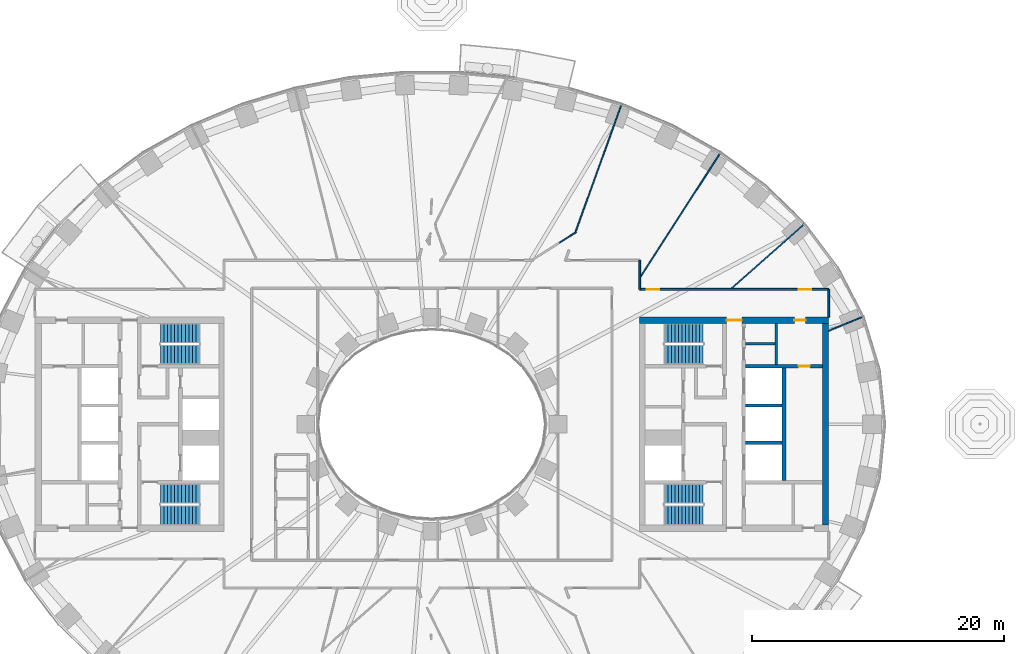
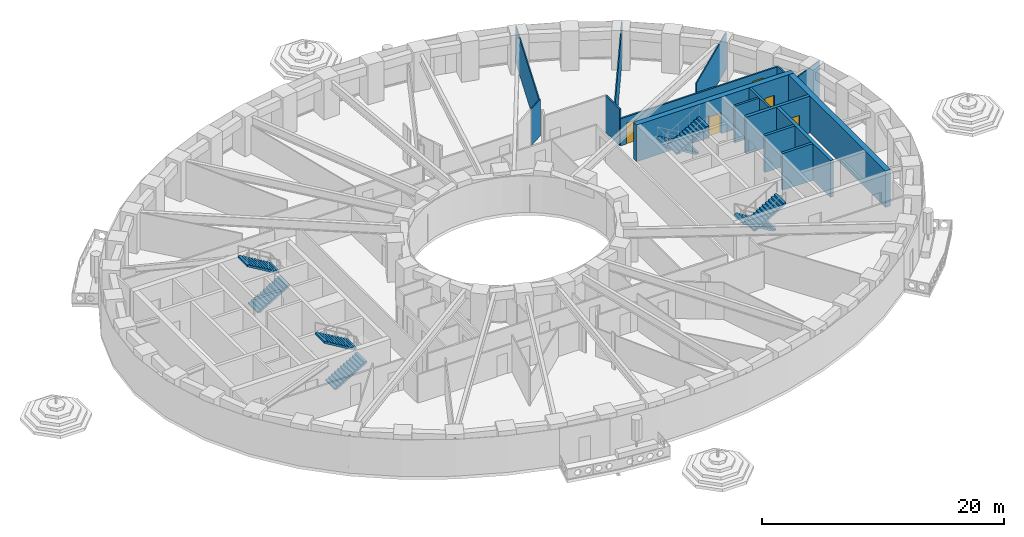
# One storey, part 7 of 20: 16 walls, 8 stair flights, 5 doors, 5 openings, 4 elements without a shape of their own.
"""IFC4 building model written with IfcOpenShell, lengths in metres."""

from ifc_helpers import new_model, si_unit, direction, frame, frame_2d, origin, place, context, subcontext, project, spatial, polyline, rectangle, outline, extrude, material, layer, layer_set, type_object, element, fill, aggregate, save


model = new_model("IFC4")

# Units and contexts
model_context = context("Model", 3, precision=1e-05, world=origin(), true_north=direction((0.0, 1.0)))
body_context = subcontext(model_context, "Body", "Model", "MODEL_VIEW")
ifc_project = project(units=[si_unit("LENGTHUNIT", "METRE"), si_unit("AREAUNIT", "SQUARE_METRE"), si_unit("VOLUMEUNIT", "CUBIC_METRE"), si_unit("PLANEANGLEUNIT", "RADIAN"), si_unit("MASSUNIT", "GRAM", prefix="KILO")], contexts=[model_context])

# Site, building, storey
site_placement = place(None, origin())
site = spatial("IfcSite", under=ifc_project, at=site_placement, CompositionType="ELEMENT")
building_placement = place(site_placement, origin())
building = spatial("IfcBuilding", under=site, at=building_placement, Name="Noorbagh Ring Tower", CompositionType="ELEMENT")
storey_placement = place(building_placement, frame((0.0, 0.0, 34.5)))
storey = spatial("IfcBuildingStorey", under=building, at=storey_placement, Name="L06", CompositionType="ELEMENT", Elevation=34.5)

# Walls
ifc_material_1 = material(Name="Gypsum board on steel studs", Category="steel")
ifc_layer_1 = layer(ifc_material_1, 0.199951171875)
ifc_layer_set_1 = layer_set([ifc_layer_1], Name="Gypsum board on steel studs")
wall_type_1 = type_object("IfcWallType", Name="CORE-PARTITION-200", PredefinedType="PARTITIONING", material=ifc_layer_set_1)
wall_1_placement = place(storey_placement, frame((27.35009765625, 4.75, 0.0), z_axis=(0.0, 0.0, 1.0), x_axis=(0.0, 1.0, 0.0)))
element("IfcWall", 1, at=wall_1_placement, inside=storey, type_object=wall_type_1, Name="Core partition E", PredefinedType="PARTITIONING", context=body_context, shape_type="SweptSolid", body=[
    extrude(rectangle(XDim=3.25, YDim=0.199951171875, at=frame_2d((1.625, 0.0))), origin(), (0.0, 0.0, 1.0), 3.699951171875),
])
wall_2_placement = place(storey_placement, frame((24.89990234375, 6.39990234375, 0.0), z_axis=(0.0, 0.0, 1.0), x_axis=(1.0, 0.0, 0.0)))
element("IfcWall", 2, at=wall_2_placement, inside=storey, type_object=wall_type_1, Name="Core partition E", PredefinedType="PARTITIONING", context=body_context, shape_type="SweptSolid", body=[
    extrude(rectangle(XDim=2.35009765625, YDim=0.199951171875, at=frame_2d((1.175048828125, 0.0))), origin(), (0.0, 0.0, 1.0), 3.699951171875),
])
ifc_material_2 = material(Name="Concrete C70/85", Category="concrete")
ifc_layer_2 = layer(ifc_material_2, 0.25)
ifc_layer_set_2 = layer_set([ifc_layer_2], Name="Concrete C70/85")
wall_type_2 = type_object("IfcWallType", Name="CORE-WALL-250-C70-85-EI120", PredefinedType="SHEAR", material=ifc_layer_set_2)
for number, where, z_axis, x_axis, name in (
    (3, (24.89990234375, -1.47509765625, 0.0), (0.0, 0.0, 1.0), (1.0, 0.0, 0.0), "Core wall E"),
    (4, (24.89990234375, 1.47509765625, 0.0), (0.0, 0.0, 1.0), (1.0, 0.0, 0.0), "Core wall E"),
):
    element("IfcWall", number, at=place(storey_placement, frame(where, z_axis=z_axis, x_axis=x_axis)), inside=storey, type_object=wall_type_2, Name=name, PredefinedType="SHEAR", context=body_context, shape_type="SweptSolid", body=[
        extrude(rectangle(XDim=2.900146484375, YDim=0.25, at=frame_2d((1.4501953125, 0.0))), origin(), (0.0, 0.0, 1.0), 3.699951171875),
    ])
ifc_material_3 = material(Name="Concrete C70/85", Category="concrete")
ifc_layer_3 = layer(ifc_material_3, 0.300048828125)
ifc_layer_set_3 = layer_set([ifc_layer_3], Name="Concrete C70/85")
wall_type_3 = type_object("IfcWallType", Name="CORE-WALL-300-C70-85-EI120", PredefinedType="SHEAR", material=ifc_layer_set_3)
wall_3_placement = place(storey_placement, frame((27.949951171875, -4.449951171875, 0.0), z_axis=(0.0, 0.0, 1.0), x_axis=(0.0, 1.0, 0.0)))
element("IfcWall", 5, at=wall_3_placement, inside=storey, type_object=wall_type_3, Name="Core wall E", PredefinedType="SHEAR", context=body_context, shape_type="SweptSolid", body=[
    extrude(rectangle(XDim=8.89990234375, YDim=0.300048828125, at=frame_2d((4.449951171875, 0.0))), origin(), (0.0, 0.0, 1.0), 3.699951171875),
])

# Wall, opening, door
ifc_material_4 = material(Name="Concrete C70/85", Category="concrete")
ifc_layer_4 = layer(ifc_material_4, 0.300048828125)
ifc_layer_set_4 = layer_set([ifc_layer_4], Name="Concrete C70/85")
wall_type_4 = type_object("IfcWallType", Name="CORE-WALL-300-C70-85-EI240", PredefinedType="SHEAR", material=ifc_layer_set_4)
wall_4_placement = place(storey_placement, frame((24.89990234375, 4.60009765625, 0.0), z_axis=(0.0, 0.0, 1.0), x_axis=(1.0, 0.0, 0.0)))
wall_4 = element("IfcWall", 6, at=wall_4_placement, inside=storey, type_object=wall_type_4, Name="Core wall E", PredefinedType="SHEAR", context=body_context, shape_type="SweptSolid", body=[
    extrude(rectangle(XDim=6.10009765625, YDim=0.300048828125, at=frame_2d((3.050048828125, 0.0))), origin(), (0.0, 0.0, 1.0), 3.699951171875),
])
opening_1_placement = place(wall_4_placement, frame((4.199951171875, 0.0, 0.0)))
opening_1 = element("IfcOpeningElement", 7, at=opening_1_placement, cuts=wall_4, Name="Opening L06-CE18", PredefinedType="OPENING", context=body_context, shape_type="SweptSolid", body=[
    extrude(rectangle(XDim=0.89990234375, YDim=2.10009765625, at=frame_2d((0.449951171875, 1.050048828125))), frame((0.0, 0.16015625, 0.0), z_axis=(0.0, -1.0, 0.0), x_axis=(1.0, 0.0, 0.0)), (0.0, 0.0, 1.0), 0.320068359375),
])
ifc_material_5 = material(Name="Steel door leaf", Category="steel")
door_type_1 = type_object("IfcDoorType", Name="CORE-DOOR-DROOM", OperationType="SINGLE_SWING_LEFT", PredefinedType="DOOR", material=ifc_material_5)
door_1_placement = place(opening_1_placement, origin())
door_1 = element("IfcDoor", 8, at=door_1_placement, inside=storey, type_object=door_type_1, Name="Core room door L06-CE18", OperationType="SINGLE_SWING_RIGHT", OverallHeight=2.10009765625, OverallWidth=0.89990234375, PredefinedType="DOOR", context=body_context, shape_type="SweptSolid", body=[
    extrude(rectangle(XDim=0.89990234375, YDim=2.10009765625, at=frame_2d((0.449951171875, 1.050048828125))), frame((0.0, 0.02490234375, 0.0), z_axis=(0.0, -1.0, 0.0), x_axis=(1.0, 0.0, 0.0)), (0.0, 0.0, 1.0), 0.050048828125),
])
fill(opening_1, door_1)

# Wall, openings, doors
ifc_material_6 = material(Name="Concrete C70/85", Category="concrete")
ifc_layer_5 = layer(ifc_material_6, 0.5)
ifc_layer_set_5 = layer_set([ifc_layer_5], Name="Concrete C70/85")
wall_type_5 = type_object("IfcWallType", Name="CORE-WALL-500-C70-85-EI240", PredefinedType="SHEAR", material=ifc_layer_set_5)
wall_5_placement = place(storey_placement, frame((16.5, 8.25, 0.0), z_axis=(0.0, 0.0, 1.0), x_axis=(1.0, 0.0, 0.0)))
wall_5 = element("IfcWall", 9, at=wall_5_placement, inside=storey, type_object=wall_type_5, Name="Core wall E", PredefinedType="SHEAR", context=body_context, shape_type="SweptSolid", body=[
    extrude(rectangle(XDim=15.0, YDim=0.5, at=frame_2d((7.5, 0.0))), origin(), (0.0, 0.0, 1.0), 3.699951171875),
])
opening_2_placement = place(wall_5_placement, frame((6.89990234375, 0.0, 0.0)))
opening_2 = element("IfcOpeningElement", 10, at=opening_2_placement, cuts=wall_5, Name="Opening L06-CE09", PredefinedType="OPENING", context=body_context, shape_type="SweptSolid", body=[
    extrude(rectangle(XDim=1.199951171875, YDim=2.10009765625, at=frame_2d((0.60009765625, 1.050048828125))), frame((0.0, 0.260009765625, 0.0), z_axis=(0.0, -1.0, 0.0), x_axis=(1.0, 0.0, 0.0)), (0.0, 0.0, 1.0), 0.52001953125),
])
opening_3_placement = place(wall_5_placement, frame((12.27490234375, 0.0, 0.0)))
opening_3 = element("IfcOpeningElement", 11, at=opening_3_placement, cuts=wall_5, Name="Opening L06-CE15", PredefinedType="OPENING", context=body_context, shape_type="SweptSolid", body=[
    extrude(rectangle(XDim=0.89990234375, YDim=2.10009765625, at=frame_2d((0.449951171875, 1.050048828125))), frame((0.0, 0.260009765625, 0.0), z_axis=(0.0, -1.0, 0.0), x_axis=(1.0, 0.0, 0.0)), (0.0, 0.0, 1.0), 0.52001953125),
])
door_2_placement = place(opening_3_placement, origin())
door_2 = element("IfcDoor", 12, at=door_2_placement, inside=storey, type_object=door_type_1, Name="Core room door L06-CE15", OperationType="SINGLE_SWING_LEFT", OverallHeight=2.10009765625, OverallWidth=0.89990234375, PredefinedType="DOOR", context=body_context, shape_type="SweptSolid", body=[
    extrude(rectangle(XDim=0.89990234375, YDim=2.10009765625, at=frame_2d((0.449951171875, 1.050048828125))), frame((0.0, 0.02490234375, 0.0), z_axis=(0.0, -1.0, 0.0), x_axis=(1.0, 0.0, 0.0)), (0.0, 0.0, 1.0), 0.050048828125),
])
fill(opening_3, door_2)
ifc_material_7 = material(Name="Steel door leaf", Category="steel")
door_type_2 = type_object("IfcDoorType", Name="CORE-DOOR-PORT", OperationType="DOUBLE_DOOR_DOUBLE_SWING", PredefinedType="DOOR", material=ifc_material_7)
door_3_placement = place(opening_2_placement, origin())
door_3 = element("IfcDoor", 13, at=door_3_placement, inside=storey, type_object=door_type_2, Name="Core entrance door L06-CE09", OperationType="DOUBLE_DOOR_DOUBLE_SWING", OverallHeight=2.10009765625, OverallWidth=1.199951171875, PredefinedType="DOOR", context=body_context, shape_type="SweptSolid", body=[
    extrude(rectangle(XDim=1.199951171875, YDim=2.10009765625, at=frame_2d((0.60009765625, 1.050048828125))), frame((0.0, 0.02490234375, 0.0), z_axis=(0.0, -1.0, 0.0), x_axis=(1.0, 0.0, 0.0)), (0.0, 0.0, 1.0), 0.050048828125),
])
fill(opening_2, door_3)

# Walls
wall_6_placement = place(storey_placement, frame((31.25, -8.0, 0.0), z_axis=(0.0, 0.0, 1.0), x_axis=(0.0, 1.0, 0.0)))
element("IfcWall", 14, at=wall_6_placement, inside=storey, type_object=wall_type_5, Name="Core wall E", PredefinedType="SHEAR", context=body_context, shape_type="SweptSolid", body=[
    extrude(rectangle(XDim=16.0, YDim=0.5, at=frame_2d((8.0, 0.0))), origin(), (0.0, 0.0, 1.0), 3.699951171875),
])
ifc_material_8 = material(Name="Gypsum board on steel studs", Category="steel")
ifc_layer_6 = layer(ifc_material_8, 0.14990234375)
ifc_layer_set_6 = layer_set([ifc_layer_6], Name="Gypsum board on steel studs")
wall_type_6 = type_object("IfcWallType", Name="CORRIDOR PARTITION 150 EI 30", PredefinedType="PARTITIONING", material=ifc_layer_set_6)
wall_7_placement = place(storey_placement, frame((16.5, 10.699951171875, 0.0), z_axis=(0.0, 0.0, 1.0), x_axis=(0.0, 1.0, 0.0)))
element("IfcWall", 15, at=wall_7_placement, inside=storey, type_object=wall_type_6, Name="L06/wall/P77", PredefinedType="PARTITIONING", context=body_context, shape_type="SweptSolid", body=[
    extrude(rectangle(XDim=2.300048828125, YDim=0.14990234375, at=frame_2d((1.14990234375, 0.0))), origin(), (0.0, 0.0, 1.0), 3.699951171875),
])

# Wall, openings, doors
wall_8_placement = place(storey_placement, frame((16.5, 10.699951171875, 0.0), z_axis=(0.0, 0.0, 1.0), x_axis=(1.0, 0.0, 0.0)))
wall_8 = element("IfcWall", 16, at=wall_8_placement, inside=storey, type_object=wall_type_6, Name="L06/wall/P78", PredefinedType="PARTITIONING", context=body_context, shape_type="SweptSolid", body=[
    extrude(rectangle(XDim=15.0, YDim=0.14990234375, at=frame_2d((7.5, 0.0))), origin(), (0.0, 0.0, 1.0), 2.75),
])
opening_4_placement = place(wall_8_placement, frame((0.552001953125, 0.0, 0.0)))
opening_4 = element("IfcOpeningElement", 17, at=opening_4_placement, cuts=wall_8, Name="Opening D1", PredefinedType="OPENING", context=body_context, shape_type="SweptSolid", body=[
    extrude(rectangle(XDim=1.0, YDim=2.10009765625, at=frame_2d((0.5, 1.050048828125))), frame((0.0, 0.0849609375, 0.0), z_axis=(0.0, -1.0, 0.0), x_axis=(1.0, 0.0, 0.0)), (0.0, 0.0, 1.0), 0.169921875),
])
opening_5_placement = place(wall_8_placement, frame((12.60009765625, 0.0, 0.0)))
opening_5 = element("IfcOpeningElement", 18, at=opening_5_placement, cuts=wall_8, Name="Opening D1", PredefinedType="OPENING", context=body_context, shape_type="SweptSolid", body=[
    extrude(rectangle(XDim=1.0, YDim=2.10009765625, at=frame_2d((0.5, 1.050048828125))), frame((0.0, 0.0849609375, 0.0), z_axis=(0.0, -1.0, 0.0), x_axis=(1.0, 0.0, 0.0)), (0.0, 0.0, 1.0), 0.169921875),
])
ifc_material_9 = material(Name="Timber, painted", Category="wood")
door_type_3 = type_object("IfcDoorType", Name="DOOR 1000 X 2100 FD30", OperationType="SINGLE_SWING_LEFT", PredefinedType="DOOR", material=ifc_material_9)
door_4_placement = place(opening_4_placement, origin())
door_4 = element("IfcDoor", 19, at=door_4_placement, inside=storey, type_object=door_type_3, Name="L06-D22", OperationType="SINGLE_SWING_RIGHT", OverallHeight=2.10009765625, OverallWidth=1.0, PredefinedType="DOOR", context=body_context, shape_type="SweptSolid", body=[
    extrude(rectangle(XDim=1.0, YDim=2.10009765625, at=frame_2d((0.5, 1.050048828125))), frame((0.0, 0.02490234375, 0.0), z_axis=(0.0, -1.0, 0.0), x_axis=(1.0, 0.0, 0.0)), (0.0, 0.0, 1.0), 0.050048828125),
])
fill(opening_4, door_4)
door_5_placement = place(opening_5_placement, origin())
door_5 = element("IfcDoor", 20, at=door_5_placement, inside=storey, type_object=door_type_3, Name="L06-D23", OperationType="SINGLE_SWING_LEFT", OverallHeight=2.10009765625, OverallWidth=1.0, PredefinedType="DOOR", context=body_context, shape_type="SweptSolid", body=[
    extrude(rectangle(XDim=1.0, YDim=2.10009765625, at=frame_2d((0.5, 1.050048828125))), frame((0.0, 0.02490234375, 0.0), z_axis=(0.0, -1.0, 0.0), x_axis=(1.0, 0.0, 0.0)), (0.0, 0.0, 1.0), 0.050048828125),
])
fill(opening_5, door_5)

# Walls
wall_9_placement = place(storey_placement, frame((31.5, 8.5, 0.0), z_axis=(0.0, 0.0, 1.0), x_axis=(0.0, 1.0, 0.0)))
element("IfcWall", 21, at=wall_9_placement, inside=storey, type_object=wall_type_6, Name="L06/wall/P83", PredefinedType="PARTITIONING", context=body_context, shape_type="SweptSolid", body=[
    extrude(rectangle(XDim=2.199951171875, YDim=0.14990234375, at=frame_2d((1.10009765625, 0.0))), origin(), (0.0, 0.0, 1.0), 2.85009765625),
])
ifc_material_10 = material(Name="Gypsum board on steel studs", Category="steel")
ifc_layer_7 = layer(ifc_material_10, 0.10009765625)
ifc_layer_set_7 = layer_set([ifc_layer_7], Name="Gypsum board on steel studs")
wall_type_7 = type_object("IfcWallType", Name="PARTITION 100 GYPSUM", PredefinedType="PARTITIONING", material=ifc_layer_set_7)
wall_10_placement = place(storey_placement, frame((10.136962890625, 14.4130859375, 0.0), z_axis=(0.0, 0.0, 1.0), x_axis=(0.844849680057, 0.535003755228, 0.0)))
element("IfcWall", 22, at=wall_10_placement, inside=storey, type_object=wall_type_7, Name="L06/wall/P66", PredefinedType="PARTITIONING", context=body_context, shape_type="SweptSolid", body=[
    extrude(rectangle(XDim=1.5625, YDim=0.10009765625, at=frame_2d((0.78125, 0.0))), origin(), (0.0, 0.0, 1.0), 3.699951171875),
])
wall_11_placement = place(storey_placement, frame((11.416015625, 15.281982421875, 0.0), z_axis=(0.0, 0.0, 1.0), x_axis=(0.338364268616, 0.94101520802, 0.0)))
element("IfcWall", 23, at=wall_11_placement, inside=storey, type_object=wall_type_7, Name="L06/wall/P72", PredefinedType="PARTITIONING", context=body_context, shape_type="SweptSolid", body=[
    extrude(rectangle(XDim=10.734130859375, YDim=0.10009765625, at=frame_2d((5.3671875, 0.0))), origin(), (0.0, 0.0, 1.0), 3.699951171875),
])
wall_12_placement = place(storey_placement, frame((16.574951171875, 11.73291015625, 0.0), z_axis=(0.0, 0.0, 1.0), x_axis=(0.54222594427, 0.840232720953, 0.0)))
element("IfcWall", 24, at=wall_12_placement, inside=storey, type_object=wall_type_7, Name="L06/wall/P79", PredefinedType="PARTITIONING", context=body_context, shape_type="SweptSolid", body=[
    extrude(rectangle(XDim=11.67431640625, YDim=0.10009765625, at=frame_2d((5.837158203125, 0.0))), origin(), (0.0, 0.0, 1.0), 3.699951171875),
])
wall_13_placement = place(storey_placement, frame((23.784912109375, 10.778076171875, 0.0), z_axis=(0.0, 0.0, 1.0), x_axis=(0.748985701008, 0.662586160198, 0.0)))
element("IfcWall", 25, at=wall_13_placement, inside=storey, type_object=wall_type_7, Name="L06/wall/P80", PredefinedType="PARTITIONING", context=body_context, shape_type="SweptSolid", body=[
    extrude(rectangle(XDim=7.72265625, YDim=0.10009765625, at=frame_2d((3.861328125, 0.0))), origin(), (0.0, 0.0, 1.0), 3.699951171875),
])
wall_14_placement = place(storey_placement, frame((31.5, 7.409912109375, 0.0), z_axis=(0.0, 0.0, 1.0), x_axis=(0.925344112436, 0.379128307542, 0.0)))
element("IfcWall", 26, at=wall_14_placement, inside=storey, type_object=wall_type_7, Name="L06/wall/P82", PredefinedType="PARTITIONING", context=body_context, shape_type="SweptSolid", body=[
    extrude(rectangle(XDim=2.954345703125, YDim=0.10009765625, at=frame_2d((1.47705078125, 0.0))), origin(), (0.0, 0.0, 1.0), 3.699951171875),
])

# Stair, stair flights
ifc_material_11 = material(Name="Concrete C40/50", Category="concrete")
stair_type = type_object("IfcStairType", Name="CORE-STAIR", PredefinedType="HALF_TURN_STAIR", material=ifc_material_11)
stair_1_placement = place(storey_placement, origin())
stair_1 = element("IfcStair", 27, at=stair_1_placement, inside=storey, type_object=stair_type, Name="L06 Exit stair ST1", PredefinedType="HALF_TURN_STAIR")
ifc_material_12 = material(Name="Concrete C40/50", Category="concrete")
stair_flight_type = type_object("IfcStairFlightType", Name="CORE-STAIR-FLIGHT", PredefinedType="STRAIGHT", material=ifc_material_12)
stair_flight_1_placement = place(storey_placement, frame((-21.530029296875, 5.52490234375, 0.0), z_axis=(0.0, 0.0, 1.0), x_axis=(1.0, 0.0, 0.0)))
stair_flight_1 = element("IfcStairFlight", 28, at=stair_flight_1_placement, type_object=stair_flight_type, Name="ST1 flight 1", NumberOfRisers=12, NumberOfTreads=11, PredefinedType="STRAIGHT", RiserHeight=0.166666667, TreadLength=0.28, context=body_context, shape_type="SweptSolid", body=[
    extrude(outline(polyline([(0.0, 0.0), (0.0, 0.166748046875), (0.280029296875, 0.166748046875), (0.280029296875, 0.333251953125), (0.56005859375, 0.333251953125), (0.56005859375, 0.5), (0.840087890625, 0.5), (0.840087890625, 0.666748046875), (1.1201171875, 0.666748046875), (1.1201171875, 0.833251953125), (1.39990234375, 0.833251953125), (1.39990234375, 1.0), (1.679931640625, 1.0), (1.679931640625, 1.166748046875), (1.9599609375, 1.166748046875), (1.9599609375, 1.333251953125), (2.239990234375, 1.333251953125), (2.239990234375, 1.5), (2.52001953125, 1.5), (2.52001953125, 1.666748046875), (2.800048828125, 1.666748046875), (2.800048828125, 1.833251953125), (3.080078125, 1.833251953125), (3.080078125, 2.0), (3.080078125, 1.658935546875), (0.29296875, 0.0), (0.0, 0.0)])), frame((0.0, 0.77490234375, 0.0), z_axis=(0.0, -1.0, 0.0), x_axis=(1.0, 0.0, 0.0)), (0.0, 0.0, 1.0), 1.550048828125),
])
stair_flight_2_placement = place(storey_placement, frame((-18.449951171875, 7.22509765625, 2.0), z_axis=(0.0, 0.0, 1.0), x_axis=(-1.0, 0.0, 0.0)))
stair_flight_2 = element("IfcStairFlight", 29, at=stair_flight_2_placement, type_object=stair_flight_type, Name="ST1 flight 2", NumberOfRisers=12, NumberOfTreads=11, PredefinedType="STRAIGHT", RiserHeight=0.166666667, TreadLength=0.28, context=body_context, shape_type="SweptSolid", body=[
    extrude(outline(polyline([(0.0, 0.0), (0.0, 0.166748046875), (0.280029296875, 0.166748046875), (0.280029296875, 0.333251953125), (0.56005859375, 0.333251953125), (0.56005859375, 0.5), (0.840087890625, 0.5), (0.840087890625, 0.666748046875), (1.1201171875, 0.666748046875), (1.1201171875, 0.833251953125), (1.39990234375, 0.833251953125), (1.39990234375, 1.0), (1.679931640625, 1.0), (1.679931640625, 1.166748046875), (1.9599609375, 1.166748046875), (1.9599609375, 1.333251953125), (2.239990234375, 1.333251953125), (2.239990234375, 1.5), (2.52001953125, 1.5), (2.52001953125, 1.666748046875), (2.800048828125, 1.666748046875), (2.800048828125, 1.833251953125), (3.080078125, 1.833251953125), (3.080078125, 2.0), (3.080078125, 1.658935546875), (0.29296875, 0.0), (0.0, 0.0)])), frame((0.0, 0.77490234375, 0.0), z_axis=(0.0, -1.0, 0.0), x_axis=(1.0, 0.0, 0.0)), (0.0, 0.0, 1.0), 1.550048828125),
])
aggregate(stair_1, [stair_flight_1, stair_flight_2])

stair_2_placement = place(storey_placement, origin())
stair_2 = element("IfcStair", 30, at=stair_2_placement, inside=storey, type_object=stair_type, Name="L06 Exit stair ST2", PredefinedType="HALF_TURN_STAIR")
stair_flight_3_placement = place(storey_placement, frame((-21.530029296875, -7.22509765625, 0.0), z_axis=(0.0, 0.0, 1.0), x_axis=(1.0, 0.0, 0.0)))
stair_flight_3 = element("IfcStairFlight", 31, at=stair_flight_3_placement, type_object=stair_flight_type, Name="ST2 flight 1", NumberOfRisers=12, NumberOfTreads=11, PredefinedType="STRAIGHT", RiserHeight=0.166666667, TreadLength=0.28, context=body_context, shape_type="SweptSolid", body=[
    extrude(outline(polyline([(0.0, 0.0), (0.0, 0.166748046875), (0.280029296875, 0.166748046875), (0.280029296875, 0.333251953125), (0.56005859375, 0.333251953125), (0.56005859375, 0.5), (0.840087890625, 0.5), (0.840087890625, 0.666748046875), (1.1201171875, 0.666748046875), (1.1201171875, 0.833251953125), (1.39990234375, 0.833251953125), (1.39990234375, 1.0), (1.679931640625, 1.0), (1.679931640625, 1.166748046875), (1.9599609375, 1.166748046875), (1.9599609375, 1.333251953125), (2.239990234375, 1.333251953125), (2.239990234375, 1.5), (2.52001953125, 1.5), (2.52001953125, 1.666748046875), (2.800048828125, 1.666748046875), (2.800048828125, 1.833251953125), (3.080078125, 1.833251953125), (3.080078125, 2.0), (3.080078125, 1.658935546875), (0.29296875, 0.0), (0.0, 0.0)])), frame((0.0, 0.77490234375, 0.0), z_axis=(0.0, -1.0, 0.0), x_axis=(1.0, 0.0, 0.0)), (0.0, 0.0, 1.0), 1.550048828125),
])
stair_flight_4_placement = place(storey_placement, frame((-18.449951171875, -5.52490234375, 2.0), z_axis=(0.0, 0.0, 1.0), x_axis=(-1.0, 0.0, 0.0)))
stair_flight_4 = element("IfcStairFlight", 32, at=stair_flight_4_placement, type_object=stair_flight_type, Name="ST2 flight 2", NumberOfRisers=12, NumberOfTreads=11, PredefinedType="STRAIGHT", RiserHeight=0.166666667, TreadLength=0.28, context=body_context, shape_type="SweptSolid", body=[
    extrude(outline(polyline([(0.0, 0.0), (0.0, 0.166748046875), (0.280029296875, 0.166748046875), (0.280029296875, 0.333251953125), (0.56005859375, 0.333251953125), (0.56005859375, 0.5), (0.840087890625, 0.5), (0.840087890625, 0.666748046875), (1.1201171875, 0.666748046875), (1.1201171875, 0.833251953125), (1.39990234375, 0.833251953125), (1.39990234375, 1.0), (1.679931640625, 1.0), (1.679931640625, 1.166748046875), (1.9599609375, 1.166748046875), (1.9599609375, 1.333251953125), (2.239990234375, 1.333251953125), (2.239990234375, 1.5), (2.52001953125, 1.5), (2.52001953125, 1.666748046875), (2.800048828125, 1.666748046875), (2.800048828125, 1.833251953125), (3.080078125, 1.833251953125), (3.080078125, 2.0), (3.080078125, 1.658935546875), (0.29296875, 0.0), (0.0, 0.0)])), frame((0.0, 0.77490234375, 0.0), z_axis=(0.0, -1.0, 0.0), x_axis=(1.0, 0.0, 0.0)), (0.0, 0.0, 1.0), 1.550048828125),
])
aggregate(stair_2, [stair_flight_3, stair_flight_4])

stair_3_placement = place(storey_placement, origin())
stair_3 = element("IfcStair", 33, at=stair_3_placement, inside=storey, type_object=stair_type, Name="L06 Exit stair ST3", PredefinedType="HALF_TURN_STAIR")
stair_flight_5_placement = place(storey_placement, frame((21.530029296875, 7.22509765625, 0.0), z_axis=(0.0, 0.0, 1.0), x_axis=(-1.0, 0.0, 0.0)))
stair_flight_5 = element("IfcStairFlight", 34, at=stair_flight_5_placement, type_object=stair_flight_type, Name="ST3 flight 1", NumberOfRisers=12, NumberOfTreads=11, PredefinedType="STRAIGHT", RiserHeight=0.166666667, TreadLength=0.28, context=body_context, shape_type="SweptSolid", body=[
    extrude(outline(polyline([(0.0, 0.0), (0.0, 0.166748046875), (0.280029296875, 0.166748046875), (0.280029296875, 0.333251953125), (0.56005859375, 0.333251953125), (0.56005859375, 0.5), (0.840087890625, 0.5), (0.840087890625, 0.666748046875), (1.1201171875, 0.666748046875), (1.1201171875, 0.833251953125), (1.39990234375, 0.833251953125), (1.39990234375, 1.0), (1.679931640625, 1.0), (1.679931640625, 1.166748046875), (1.9599609375, 1.166748046875), (1.9599609375, 1.333251953125), (2.239990234375, 1.333251953125), (2.239990234375, 1.5), (2.52001953125, 1.5), (2.52001953125, 1.666748046875), (2.800048828125, 1.666748046875), (2.800048828125, 1.833251953125), (3.080078125, 1.833251953125), (3.080078125, 2.0), (3.080078125, 1.658935546875), (0.29296875, 0.0), (0.0, 0.0)])), frame((0.0, 0.77490234375, 0.0), z_axis=(0.0, -1.0, 0.0), x_axis=(1.0, 0.0, 0.0)), (0.0, 0.0, 1.0), 1.550048828125),
])
stair_flight_6_placement = place(storey_placement, frame((18.449951171875, 5.52490234375, 2.0), z_axis=(0.0, 0.0, 1.0), x_axis=(1.0, 0.0, 0.0)))
stair_flight_6 = element("IfcStairFlight", 35, at=stair_flight_6_placement, type_object=stair_flight_type, Name="ST3 flight 2", NumberOfRisers=12, NumberOfTreads=11, PredefinedType="STRAIGHT", RiserHeight=0.166666667, TreadLength=0.28, context=body_context, shape_type="SweptSolid", body=[
    extrude(outline(polyline([(0.0, 0.0), (0.0, 0.166748046875), (0.280029296875, 0.166748046875), (0.280029296875, 0.333251953125), (0.56005859375, 0.333251953125), (0.56005859375, 0.5), (0.840087890625, 0.5), (0.840087890625, 0.666748046875), (1.1201171875, 0.666748046875), (1.1201171875, 0.833251953125), (1.39990234375, 0.833251953125), (1.39990234375, 1.0), (1.679931640625, 1.0), (1.679931640625, 1.166748046875), (1.9599609375, 1.166748046875), (1.9599609375, 1.333251953125), (2.239990234375, 1.333251953125), (2.239990234375, 1.5), (2.52001953125, 1.5), (2.52001953125, 1.666748046875), (2.800048828125, 1.666748046875), (2.800048828125, 1.833251953125), (3.080078125, 1.833251953125), (3.080078125, 2.0), (3.080078125, 1.658935546875), (0.29296875, 0.0), (0.0, 0.0)])), frame((0.0, 0.77490234375, 0.0), z_axis=(0.0, -1.0, 0.0), x_axis=(1.0, 0.0, 0.0)), (0.0, 0.0, 1.0), 1.550048828125),
])
aggregate(stair_3, [stair_flight_5, stair_flight_6])

stair_4_placement = place(storey_placement, origin())
stair_4 = element("IfcStair", 36, at=stair_4_placement, inside=storey, type_object=stair_type, Name="L06 Exit stair ST4", PredefinedType="HALF_TURN_STAIR")
stair_flight_7_placement = place(storey_placement, frame((21.530029296875, -5.52490234375, 0.0), z_axis=(0.0, 0.0, 1.0), x_axis=(-1.0, 0.0, 0.0)))
stair_flight_7 = element("IfcStairFlight", 37, at=stair_flight_7_placement, type_object=stair_flight_type, Name="ST4 flight 1", NumberOfRisers=12, NumberOfTreads=11, PredefinedType="STRAIGHT", RiserHeight=0.166666667, TreadLength=0.28, context=body_context, shape_type="SweptSolid", body=[
    extrude(outline(polyline([(0.0, 0.0), (0.0, 0.166748046875), (0.280029296875, 0.166748046875), (0.280029296875, 0.333251953125), (0.56005859375, 0.333251953125), (0.56005859375, 0.5), (0.840087890625, 0.5), (0.840087890625, 0.666748046875), (1.1201171875, 0.666748046875), (1.1201171875, 0.833251953125), (1.39990234375, 0.833251953125), (1.39990234375, 1.0), (1.679931640625, 1.0), (1.679931640625, 1.166748046875), (1.9599609375, 1.166748046875), (1.9599609375, 1.333251953125), (2.239990234375, 1.333251953125), (2.239990234375, 1.5), (2.52001953125, 1.5), (2.52001953125, 1.666748046875), (2.800048828125, 1.666748046875), (2.800048828125, 1.833251953125), (3.080078125, 1.833251953125), (3.080078125, 2.0), (3.080078125, 1.658935546875), (0.29296875, 0.0), (0.0, 0.0)])), frame((0.0, 0.77490234375, 0.0), z_axis=(0.0, -1.0, 0.0), x_axis=(1.0, 0.0, 0.0)), (0.0, 0.0, 1.0), 1.550048828125),
])
stair_flight_8_placement = place(storey_placement, frame((18.449951171875, -7.22509765625, 2.0), z_axis=(0.0, 0.0, 1.0), x_axis=(1.0, 0.0, 0.0)))
stair_flight_8 = element("IfcStairFlight", 38, at=stair_flight_8_placement, type_object=stair_flight_type, Name="ST4 flight 2", NumberOfRisers=12, NumberOfTreads=11, PredefinedType="STRAIGHT", RiserHeight=0.166666667, TreadLength=0.28, context=body_context, shape_type="SweptSolid", body=[
    extrude(outline(polyline([(0.0, 0.0), (0.0, 0.166748046875), (0.280029296875, 0.166748046875), (0.280029296875, 0.333251953125), (0.56005859375, 0.333251953125), (0.56005859375, 0.5), (0.840087890625, 0.5), (0.840087890625, 0.666748046875), (1.1201171875, 0.666748046875), (1.1201171875, 0.833251953125), (1.39990234375, 0.833251953125), (1.39990234375, 1.0), (1.679931640625, 1.0), (1.679931640625, 1.166748046875), (1.9599609375, 1.166748046875), (1.9599609375, 1.333251953125), (2.239990234375, 1.333251953125), (2.239990234375, 1.5), (2.52001953125, 1.5), (2.52001953125, 1.666748046875), (2.800048828125, 1.666748046875), (2.800048828125, 1.833251953125), (3.080078125, 1.833251953125), (3.080078125, 2.0), (3.080078125, 1.658935546875), (0.29296875, 0.0), (0.0, 0.0)])), frame((0.0, 0.77490234375, 0.0), z_axis=(0.0, -1.0, 0.0), x_axis=(1.0, 0.0, 0.0)), (0.0, 0.0, 1.0), 1.550048828125),
])
aggregate(stair_4, [stair_flight_7, stair_flight_8])

save(model, "model.ifc")
